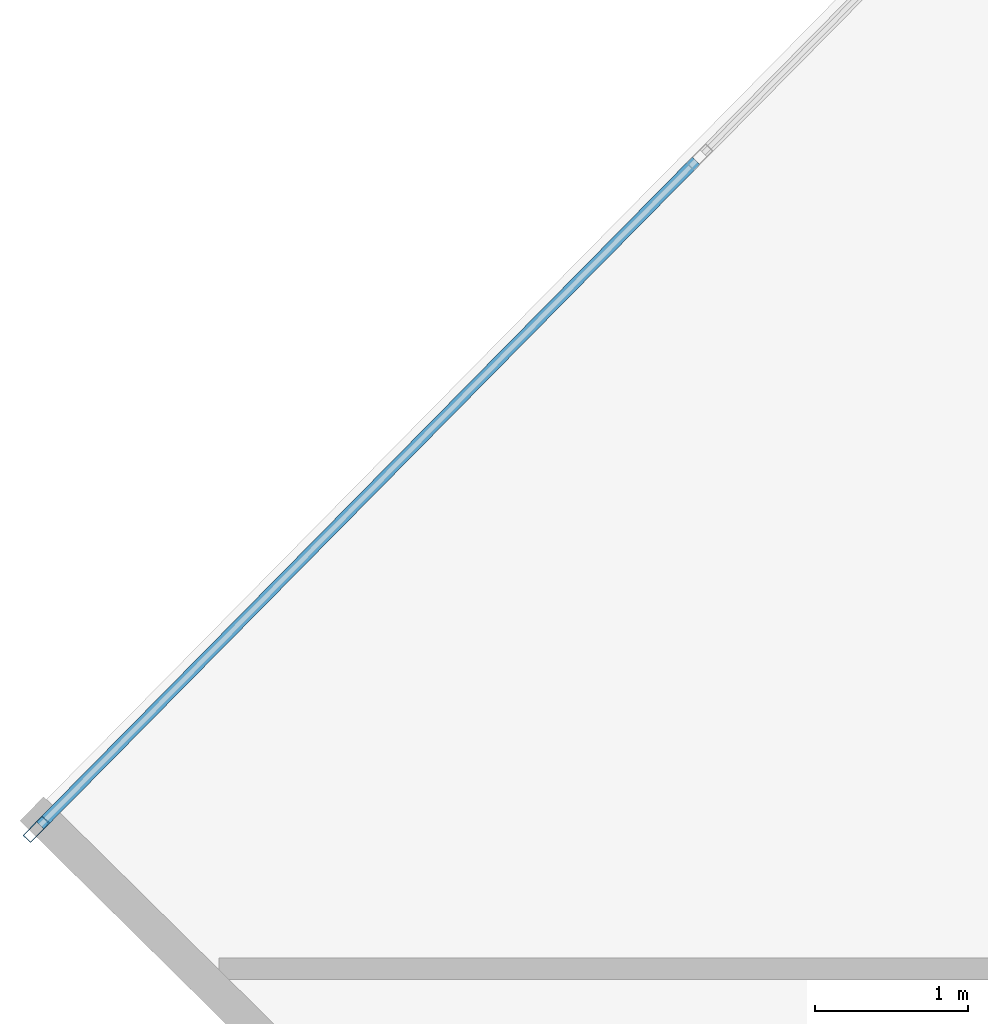
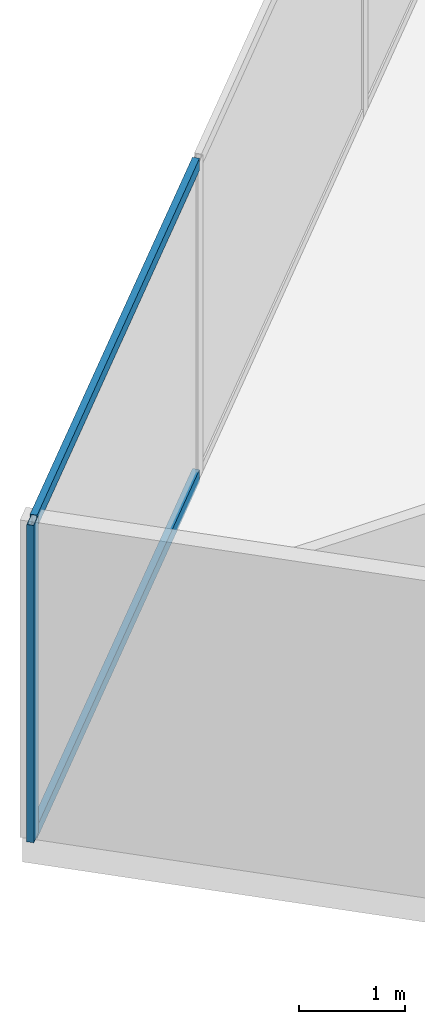
# One storey, part 7 of 24: 3 members, 1 element without a shape of its own.
"""IFC4 building model written with IfcOpenShell, lengths in metres."""

from ifc_helpers import new_model, si_unit, direction, frame, origin, origin_2d, place, context, subcontext, project, spatial, hollow_rectangle, extrude, source, transform, mapped, material, material_profile, profile_set, type_object, type_shapes, element, aggregate, save


model = new_model("IFC4")

# Units and contexts
model_context = context("Model", 3, precision=1e-05, world=origin(), true_north=direction((0.0, 1.0)))
body_context = subcontext(model_context, "Body", "Model", "MODEL_VIEW")
ifc_project = project(units=[si_unit("LENGTHUNIT", "METRE"), si_unit("AREAUNIT", "SQUARE_METRE"), si_unit("VOLUMEUNIT", "CUBIC_METRE"), si_unit("PLANEANGLEUNIT", "RADIAN"), si_unit("MASSUNIT", "GRAM", prefix="KILO")], contexts=[model_context])

# Site, building, storey
site_placement = place(None, origin())
site = spatial("IfcSite", under=ifc_project, at=site_placement, CompositionType="ELEMENT")
building_placement = place(site_placement, origin())
building = spatial("IfcBuilding", under=site, at=building_placement, Name="Krantzveldt Concourse Tower", CompositionType="ELEMENT")
storey_placement = place(building_placement, frame((0.0, 0.0, 234.949951171875)))
storey = spatial("IfcBuildingStorey", under=building, at=storey_placement, Name="L57", CompositionType="ELEMENT", Elevation=234.949951171875)

# Curtain wall, members
ifc_material = material(Name="Anodised aluminium 6063-T6", Category="aluminium")
curtain_wall_type = type_object("IfcCurtainWallType", Name="CW3", PredefinedType="USERDEFINED", material=ifc_material)
curtain_wall_placement = place(storey_placement, origin())
curtain_wall = element("IfcCurtainWall", 1, at=curtain_wall_placement, inside=storey, type_object=curtain_wall_type, Name="CW-L57-F01", ObjectType="UNITISED CURTAIN WALL", PredefinedType="USERDEFINED")
ifc_material_profile_1 = material_profile(ifc_material, hollow_rectangle(XDim=0.070068359375, YDim=0.179931640625, WallThickness=0.0048828125, at=origin_2d()), Name="Anodised aluminium 6063-T6", Category="aluminium")
ifc_profile_set_1 = profile_set([ifc_material_profile_1], Name="Anodised aluminium 6063-T6 - ALU-MULL 180x70x5")
member_type_1 = type_object("IfcMemberType", Name="CW-MUL-180", PredefinedType="MULLION", material=ifc_profile_set_1)
shared_shape_1 = source(origin(), body_context, "Body", "SweptSolid", [
    extrude(hollow_rectangle(XDim=0.070068359375, YDim=0.179931640625, WallThickness=0.0048828125, at=origin_2d()), origin(), (0.0, 0.0, 1.0), 3.670166015625),
])
type_shapes(member_type_1, [shared_shape_1])
member_1_placement = place(storey_placement, frame((10.610107421875, 30.030517578125, 0.0), z_axis=(0.0, 0.0, 1.0), x_axis=(0.711719700179, -0.702463570854, 0.0)))
member_1 = element("IfcMember", 2, at=member_1_placement, type_object=member_type_1, Name="CW-Z34 mullion 6", PredefinedType="MULLION", context=body_context, shape_type="MappedRepresentation", body=[
    mapped(shared_shape_1, transform((0.0, 0.0, 0.0), x_axis=(1.0, 0.0, 0.0), y_axis=(0.0, 1.0, 0.0), z_axis=(0.0, 0.0, 1.0), scale=1.0)),
])
ifc_material_profile_2 = material_profile(ifc_material, hollow_rectangle(XDim=0.070068359375, YDim=0.139892578125, WallThickness=0.0048828125, at=origin_2d()), Name="Anodised aluminium 6063-T6", Category="aluminium")
ifc_profile_set_2 = profile_set([ifc_material_profile_2], Name="Anodised aluminium 6063-T6 - ALU-TRAN 140x70x5")
member_type_2 = type_object("IfcMemberType", Name="CW-TRN-150", PredefinedType="USERDEFINED", material=ifc_profile_set_2)
shared_shape_2 = source(origin(), body_context, "Body", "SweptSolid", [
    extrude(hollow_rectangle(XDim=0.070068359375, YDim=0.139892578125, WallThickness=0.0048828125, at=origin_2d()), origin(), (0.0, 0.0, 1.0), 6.094970703125),
])
type_shapes(member_type_2, [shared_shape_2])
member_2_placement = place(storey_placement, frame((14.916259765625, 34.393310546875, 0.03515625), z_axis=(-0.702465157511, -0.711718134154, 0.0), x_axis=(0.711718134154, -0.702465157511, 0.0)))
member_2 = element("IfcMember", 3, at=member_2_placement, type_object=member_type_2, Name="CW-Z34 transom 5.1", ObjectType="TRANSOM", PredefinedType="USERDEFINED", context=body_context, shape_type="MappedRepresentation", body=[
    mapped(shared_shape_2, transform((0.0, 0.0, 0.0), x_axis=(1.0, 0.0, 0.0), y_axis=(0.0, 1.0, 0.0), z_axis=(0.0, 0.0, 1.0), scale=1.0)),
])
member_3_placement = place(storey_placement, frame((14.916259765625, 34.393310546875, 3.635009765625), z_axis=(-0.702465157511, -0.711718134154, 0.0), x_axis=(0.711718134154, -0.702465157511, 0.0)))
member_3 = element("IfcMember", 4, at=member_3_placement, type_object=member_type_2, Name="CW-Z34 transom 5.2", ObjectType="TRANSOM", PredefinedType="USERDEFINED", context=body_context, shape_type="MappedRepresentation", body=[
    mapped(shared_shape_2, transform((0.0, 0.0, 0.0), x_axis=(1.0, 0.0, 0.0), y_axis=(0.0, 1.0, 0.0), z_axis=(0.0, 0.0, 1.0), scale=1.0)),
])
aggregate(curtain_wall, [member_1, member_2, member_3])

save(model, "model.ifc")
